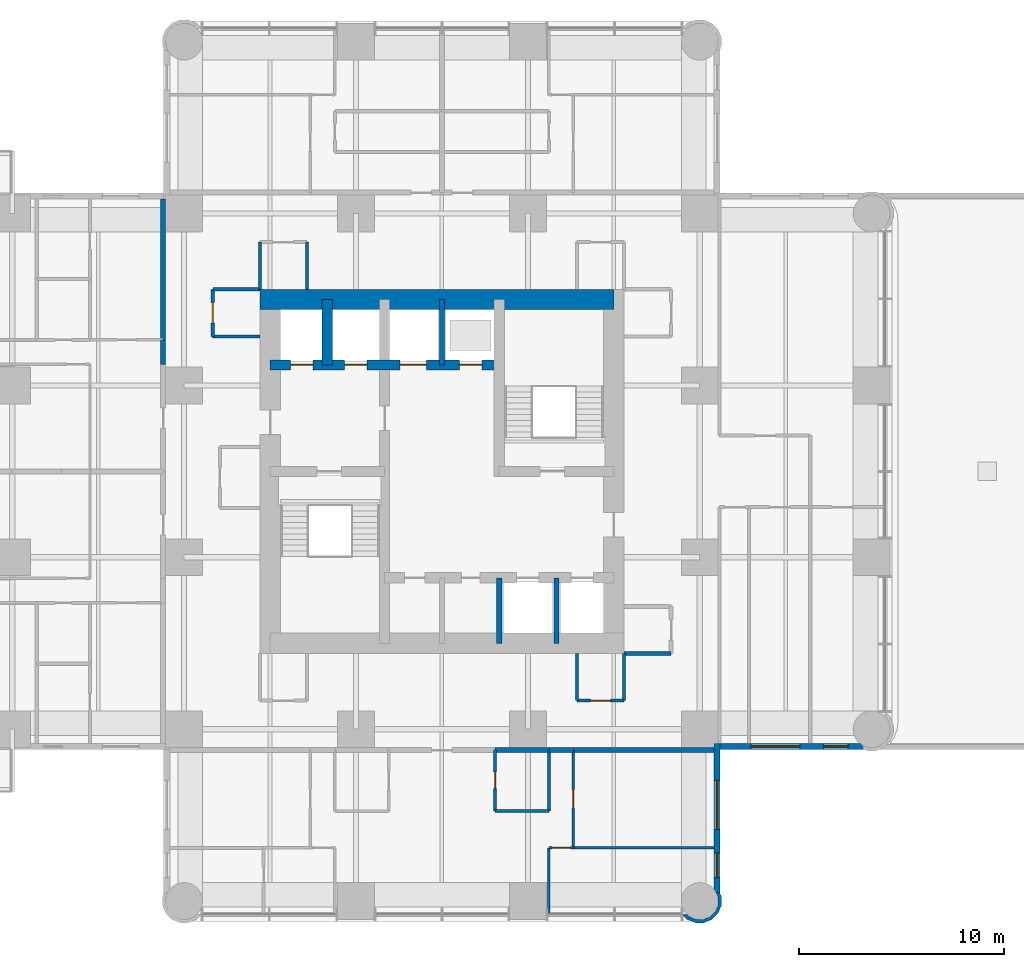
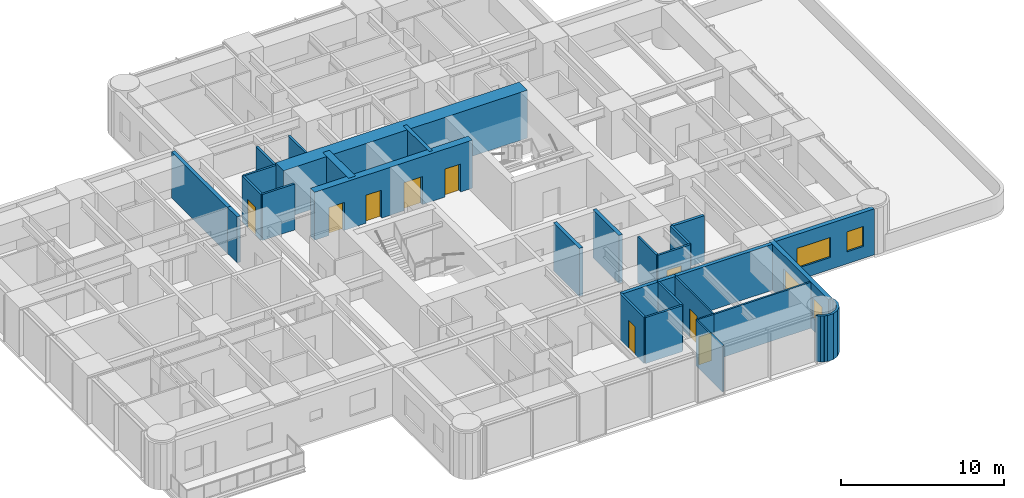
# One storey, part 7 of 12: 30 walls, 9 doors, 4 windows, 13 openings.
"""IFC4 building model written with IfcOpenShell, lengths in metres."""

from ifc_helpers import new_model, si_unit, direction, frame, frame_2d, origin, place, context, subcontext, project, spatial, polyline, rectangle, outline, extrude, material, layer, layer_set, type_object, element, fill, save


model = new_model("IFC4")

# Units and contexts
model_context = context("Model", 3, precision=1e-05, world=origin(), true_north=direction((0.0, 1.0)))
body_context = subcontext(model_context, "Body", "Model", "MODEL_VIEW")
ifc_project = project(units=[si_unit("LENGTHUNIT", "METRE"), si_unit("AREAUNIT", "SQUARE_METRE"), si_unit("VOLUMEUNIT", "CUBIC_METRE"), si_unit("PLANEANGLEUNIT", "RADIAN"), si_unit("MASSUNIT", "GRAM", prefix="KILO")], contexts=[model_context])

# Site, building, storey
site_placement = place(None, origin())
site = spatial("IfcSite", under=ifc_project, at=site_placement, CompositionType="ELEMENT")
building_placement = place(site_placement, origin())
building = spatial("IfcBuilding", under=site, at=building_placement, Name="Torre Alcanfor", CompositionType="ELEMENT")
storey_placement = place(building_placement, frame((0.0, 0.0, 183.300048828125)))
storey = spatial("IfcBuildingStorey", under=building, at=storey_placement, Name="L47", CompositionType="ELEMENT", Elevation=183.300048828125)

# Walls
ifc_material_1 = material(Name="Concrete block masonry, hollow blocks NMX-C-404 9 MPa", Category="masonry")
ifc_layer_1 = layer(ifc_material_1, 0.25)
ifc_layer_set_1 = layer_set([ifc_layer_1], Name="Apartment entrance wall 250 EI 60")
wall_type_1 = type_object("IfcWallType", Name="Apartment entrance wall 250 EI 60", PredefinedType="PARTITIONING", material=ifc_layer_set_1)
wall_1_placement = place(storey_placement, frame((34.62890625, 15.77490234375, 0.0), z_axis=(0.0, 0.0, 1.0), x_axis=(-1.0, 0.0, 0.0)))
element("IfcWall", 1, at=wall_1_placement, inside=storey, type_object=wall_type_1, Name="Partition L47-CORR / L47-SX-BATH2", PredefinedType="PARTITIONING", context=body_context, shape_type="SweptSolid", body=[
    extrude(rectangle(XDim=2.62890625, YDim=0.25, at=frame_2d((1.314453125, 0.0))), origin(), (0.0, 0.0, 1.0), 3.449951171875),
])
wall_2_placement = place(storey_placement, frame((35.8291015625, 15.77490234375, 0.0), z_axis=(0.0, 0.0, 1.0), x_axis=(-1.0, 0.0, 0.0)))
element("IfcWall", 2, at=wall_2_placement, inside=storey, type_object=wall_type_1, Name="Partition L47-CORR / L47-SX-LIVING", PredefinedType="PARTITIONING", context=body_context, shape_type="SweptSolid", body=[
    extrude(rectangle(XDim=1.2001953125, YDim=0.25, at=frame_2d((0.60009765625, 0.0))), origin(), (0.0, 0.0, 1.0), 3.449951171875),
])
wall_3_placement = place(storey_placement, frame((42.699951171875, 15.77490234375, 0.0), z_axis=(0.0, 0.0, 1.0), x_axis=(-1.0, 0.0, 0.0)))
element("IfcWall", 3, at=wall_3_placement, inside=storey, type_object=wall_type_1, Name="Partition L47-CORR / L47-SX-BED2", PredefinedType="PARTITIONING", context=body_context, shape_type="SweptSolid", body=[
    extrude(rectangle(XDim=6.870849609375, YDim=0.25, at=frame_2d((3.435546875, 0.0))), origin(), (0.0, 0.0, 1.0), 3.449951171875),
])
wall_4_placement = place(storey_placement, frame((15.77490234375, 34.62890625, 0.0), z_axis=(0.0, 0.0, 1.0), x_axis=(0.0, 1.0, 0.0)))
element("IfcWall", 4, at=wall_4_placement, inside=storey, type_object=wall_type_1, Name="Partition L47-CORR / L47-W2-HALL", PredefinedType="PARTITIONING", context=body_context, shape_type="SweptSolid", body=[
    extrude(rectangle(XDim=1.2001953125, YDim=0.25, at=frame_2d((0.60009765625, 0.0))), origin(), (0.0, 0.0, 1.0), 3.449951171875),
])
wall_5_placement = place(storey_placement, frame((15.77490234375, 35.8291015625, 0.0), z_axis=(0.0, 0.0, 1.0), x_axis=(0.0, 1.0, 0.0)))
element("IfcWall", 5, at=wall_5_placement, inside=storey, type_object=wall_type_1, Name="Partition L47-CORR / L47-W2-SERV", PredefinedType="PARTITIONING", context=body_context, shape_type="SweptSolid", body=[
    extrude(rectangle(XDim=6.870849609375, YDim=0.25, at=frame_2d((3.435546875, 0.0))), origin(), (0.0, 0.0, 1.0), 3.449951171875),
])

# Wall, opening, door
ifc_material_2 = material(Name="Gypsum board on steel studs", Category="steel")
ifc_layer_2 = layer(ifc_material_2, 0.1201171875)
ifc_layer_set_2 = layer_set([ifc_layer_2], Name="Apartment partition 120")
wall_type_2 = type_object("IfcWallType", Name="Apartment partition 120", PredefinedType="PARTITIONING", material=ifc_layer_set_2)
wall_6_placement = place(storey_placement, frame((35.8291015625, 15.77490234375, 0.0), z_axis=(0.0, 0.0, 1.0), x_axis=(0.0, -1.0, 0.0)))
wall_6 = element("IfcWall", 6, at=wall_6_placement, inside=storey, type_object=wall_type_2, Name="Partition L47-SX-LIVING / L47-SX-BED2", PredefinedType="PARTITIONING", context=body_context, shape_type="SweptSolid", body=[
    extrude(rectangle(XDim=4.77490234375, YDim=0.1201171875, at=frame_2d((2.387451171875, 0.0))), origin(), (0.0, 0.0, 1.0), 3.449951171875),
])
opening_1_placement = place(wall_6_placement, frame((1.925048828125, 0.0, 0.0)))
opening_1 = element("IfcOpeningElement", 7, at=opening_1_placement, cuts=wall_6, Name="Opening D-R1", PredefinedType="OPENING", context=body_context, shape_type="SweptSolid", body=[
    extrude(rectangle(XDim=0.89990234375, YDim=2.10009765625, at=frame_2d((0.449951171875, 1.050048828125))), frame((0.0, 0.070068359375, 0.0), z_axis=(0.0, -1.0, 0.0), x_axis=(1.0, 0.0, 0.0)), (0.0, 0.0, 1.0), 0.14013671875),
])
ifc_material_3 = material(Name="Timber", Category="wood")
door_type_1 = type_object("IfcDoorType", Name="Internal door 900x2100", OperationType="SINGLE_SWING_LEFT", PredefinedType="DOOR", material=ifc_material_3)
door_1_placement = place(opening_1_placement, origin())
door_1 = element("IfcDoor", 8, at=door_1_placement, inside=storey, type_object=door_type_1, Name="Door L47-SX bed2", OperationType="SINGLE_SWING_LEFT", OverallHeight=2.10009765625, OverallWidth=0.89990234375, PredefinedType="DOOR", context=body_context, shape_type="SweptSolid", body=[
    extrude(rectangle(XDim=0.89990234375, YDim=2.10009765625, at=frame_2d((0.449951171875, 1.050048828125))), frame((0.0, 0.02490234375, 0.0), z_axis=(0.0, -1.0, 0.0), x_axis=(1.0, 0.0, 0.0)), (0.0, 0.0, 1.0), 0.050048828125),
])
fill(opening_1, door_1)

wall_7_placement = place(storey_placement, frame((35.8291015625, 11.0, 0.0), z_axis=(0.0, 0.0, 1.0), x_axis=(-1.0, 0.0, 0.0)))
wall_7 = element("IfcWall", 9, at=wall_7_placement, inside=storey, type_object=wall_type_2, Name="Partition L47-SX-LIVING / L47-SX-MASTER", PredefinedType="PARTITIONING", context=body_context, shape_type="SweptSolid", body=[
    extrude(rectangle(XDim=1.2001953125, YDim=0.1201171875, at=frame_2d((0.60009765625, 0.0))), origin(), (0.0, 0.0, 1.0), 3.449951171875),
])
opening_2_placement = place(wall_7_placement, frame((0.14892578125, 0.0, 0.0)))
opening_2 = element("IfcOpeningElement", 10, at=opening_2_placement, cuts=wall_7, Name="Opening D-R1", PredefinedType="OPENING", context=body_context, shape_type="SweptSolid", body=[
    extrude(rectangle(XDim=0.89990234375, YDim=2.10009765625, at=frame_2d((0.449951171875, 1.050048828125))), frame((0.0, 0.070068359375, 0.0), z_axis=(0.0, -1.0, 0.0), x_axis=(1.0, 0.0, 0.0)), (0.0, 0.0, 1.0), 0.14013671875),
])
door_2_placement = place(opening_2_placement, origin())
door_2 = element("IfcDoor", 11, at=door_2_placement, inside=storey, type_object=door_type_1, Name="Door L47-SX master", OperationType="SINGLE_SWING_RIGHT", OverallHeight=2.10009765625, OverallWidth=0.89990234375, PredefinedType="DOOR", context=body_context, shape_type="SweptSolid", body=[
    extrude(rectangle(XDim=0.89990234375, YDim=2.10009765625, at=frame_2d((0.449951171875, 1.050048828125))), frame((0.0, 0.02490234375, 0.0), z_axis=(0.0, -1.0, 0.0), x_axis=(1.0, 0.0, 0.0)), (0.0, 0.0, 1.0), 0.050048828125),
])
fill(opening_2, door_2)

# Walls
wall_8_placement = place(storey_placement, frame((34.62890625, 11.0, 0.0), z_axis=(0.0, 0.0, 1.0), x_axis=(0.0, -1.0, 0.0)))
element("IfcWall", 12, at=wall_8_placement, inside=storey, type_object=wall_type_2, Name="Partition L47-SX-LIVING / L47-SX-MASTER", PredefinedType="PARTITIONING", context=body_context, shape_type="SweptSolid", body=[
    extrude(rectangle(XDim=3.25, YDim=0.1201171875, at=frame_2d((1.625, 0.0))), origin(), (0.0, 0.0, 1.0), 3.449951171875),
])
wall_9_placement = place(storey_placement, frame((35.8291015625, 11.0, 0.0), z_axis=(0.0, 0.0, 1.0), x_axis=(1.0, 0.0, 0.0)))
element("IfcWall", 13, at=wall_9_placement, inside=storey, type_object=wall_type_2, Name="Partition L47-SX-BED2 / L47-SX-MASTER", PredefinedType="PARTITIONING", context=body_context, shape_type="SweptSolid", body=[
    extrude(rectangle(XDim=6.870849609375, YDim=0.1201171875, at=frame_2d((3.435546875, 0.0))), origin(), (0.0, 0.0, 1.0), 3.449951171875),
])

# Wall, openings, doors
ifc_material_4 = material(Name="Concrete f'c 70 MPa", Category="concrete")
ifc_layer_3 = layer(ifc_material_4, 0.5)
ifc_layer_set_3 = layer_set([ifc_layer_3], Name="Core inner wall 500 f'c70")
wall_type_3 = type_object("IfcWallType", Name="Core inner wall 500 f'c70", PredefinedType="SHEAR", material=ifc_layer_set_3)
wall_10_placement = place(storey_placement, frame((21.0, 34.60009765625, 0.0), z_axis=(0.0, 0.0, 1.0), x_axis=(1.0, 0.0, 0.0)))
wall_10 = element("IfcWall", 14, at=wall_10_placement, inside=storey, type_object=wall_type_3, Name="Core wall Y346 L47", PredefinedType="SHEAR", context=body_context, shape_type="SweptSolid", body=[
    extrude(rectangle(XDim=11.199951171875, YDim=0.5, at=frame_2d((5.60009765625, 0.0))), origin(), (0.0, 0.0, 1.0), 3.599853515625),
])
opening_3_placement = place(wall_10_placement, frame((9.25, 0.0, 0.0)))
opening_3 = element("IfcOpeningElement", 15, at=opening_3_placement, cuts=wall_10, Name="Opening LD1", PredefinedType="OPENING", context=body_context, shape_type="SweptSolid", body=[
    extrude(rectangle(XDim=1.10009765625, YDim=2.10009765625, at=frame_2d((0.550048828125, 1.050048828125))), frame((0.0, 0.260009765625, 0.0), z_axis=(0.0, -1.0, 0.0), x_axis=(1.0, 0.0, 0.0)), (0.0, 0.0, 1.0), 0.52001953125),
])
opening_4_placement = place(wall_10_placement, frame((1.0, 0.0, 0.0)))
opening_4 = element("IfcOpeningElement", 16, at=opening_4_placement, cuts=wall_10, Name="Opening LD2", PredefinedType="OPENING", context=body_context, shape_type="SweptSolid", body=[
    extrude(rectangle(XDim=1.10009765625, YDim=2.10009765625, at=frame_2d((0.550048828125, 1.050048828125))), frame((0.0, 0.260009765625, 0.0), z_axis=(0.0, -1.0, 0.0), x_axis=(1.0, 0.0, 0.0)), (0.0, 0.0, 1.0), 0.52001953125),
])
opening_5_placement = place(wall_10_placement, frame((3.64990234375, 0.0, 0.0)))
opening_5 = element("IfcOpeningElement", 17, at=opening_5_placement, cuts=wall_10, Name="Opening LD2", PredefinedType="OPENING", context=body_context, shape_type="SweptSolid", body=[
    extrude(rectangle(XDim=1.10009765625, YDim=2.10009765625, at=frame_2d((0.550048828125, 1.050048828125))), frame((0.0, 0.260009765625, 0.0), z_axis=(0.0, -1.0, 0.0), x_axis=(1.0, 0.0, 0.0)), (0.0, 0.0, 1.0), 0.52001953125),
])
opening_6_placement = place(wall_10_placement, frame((6.35009765625, 0.0, 0.0)))
opening_6 = element("IfcOpeningElement", 18, at=opening_6_placement, cuts=wall_10, Name="Opening LD3", PredefinedType="OPENING", context=body_context, shape_type="SweptSolid", body=[
    extrude(rectangle(XDim=1.300048828125, YDim=2.10009765625, at=frame_2d((0.64990234375, 1.050048828125))), frame((0.0, 0.260009765625, 0.0), z_axis=(0.0, -1.0, 0.0), x_axis=(1.0, 0.0, 0.0)), (0.0, 0.0, 1.0), 0.52001953125),
])
ifc_material_5 = material(Name="Galvanised steel sheet ASTM A653", Category="steel")
door_type_2 = type_object("IfcDoorType", Name="Firefighting lift landing door 1100x2100", OperationType="DOUBLE_DOOR_SLIDING", PredefinedType="DOOR", material=ifc_material_5)
door_3_placement = place(opening_4_placement, origin())
door_3 = element("IfcDoor", 19, at=door_3_placement, inside=storey, type_object=door_type_2, Name="Lift landing door FL1 L47", OperationType="DOUBLE_DOOR_SLIDING", OverallHeight=2.10009765625, OverallWidth=1.10009765625, PredefinedType="DOOR", context=body_context, shape_type="SweptSolid", body=[
    extrude(rectangle(XDim=1.10009765625, YDim=2.10009765625, at=frame_2d((0.550048828125, 1.050048828125))), frame((0.0, 0.02490234375, 0.0), z_axis=(0.0, -1.0, 0.0), x_axis=(1.0, 0.0, 0.0)), (0.0, 0.0, 1.0), 0.050048828125),
])
fill(opening_4, door_3)
door_4_placement = place(opening_5_placement, origin())
door_4 = element("IfcDoor", 20, at=door_4_placement, inside=storey, type_object=door_type_2, Name="Lift landing door FL2 L47", OperationType="DOUBLE_DOOR_SLIDING", OverallHeight=2.10009765625, OverallWidth=1.10009765625, PredefinedType="DOOR", context=body_context, shape_type="SweptSolid", body=[
    extrude(rectangle(XDim=1.10009765625, YDim=2.10009765625, at=frame_2d((0.550048828125, 1.050048828125))), frame((0.0, 0.02490234375, 0.0), z_axis=(0.0, -1.0, 0.0), x_axis=(1.0, 0.0, 0.0)), (0.0, 0.0, 1.0), 0.050048828125),
])
fill(opening_5, door_4)
ifc_material_6 = material(Name="Galvanised steel sheet ASTM A653", Category="steel")
door_type_3 = type_object("IfcDoorType", Name="Lift landing door 1100x2100", OperationType="DOUBLE_DOOR_SLIDING", PredefinedType="DOOR", material=ifc_material_6)
door_5_placement = place(opening_3_placement, origin())
door_5 = element("IfcDoor", 21, at=door_5_placement, inside=storey, type_object=door_type_3, Name="Lift landing door PA5 L47", OperationType="DOUBLE_DOOR_SLIDING", OverallHeight=2.10009765625, OverallWidth=1.10009765625, PredefinedType="DOOR", context=body_context, shape_type="SweptSolid", body=[
    extrude(rectangle(XDim=1.10009765625, YDim=2.10009765625, at=frame_2d((0.550048828125, 1.050048828125))), frame((0.0, 0.02490234375, 0.0), z_axis=(0.0, -1.0, 0.0), x_axis=(1.0, 0.0, 0.0)), (0.0, 0.0, 1.0), 0.050048828125),
])
fill(opening_3, door_5)
ifc_material_7 = material(Name="Galvanised steel sheet ASTM A653", Category="steel")
door_type_4 = type_object("IfcDoorType", Name="Service lift landing door 1300x2100", OperationType="DOUBLE_DOOR_SLIDING", PredefinedType="DOOR", material=ifc_material_7)
door_6_placement = place(opening_6_placement, origin())
door_6 = element("IfcDoor", 22, at=door_6_placement, inside=storey, type_object=door_type_4, Name="Lift landing door SL1 L47", OperationType="DOUBLE_DOOR_SLIDING", OverallHeight=2.10009765625, OverallWidth=1.300048828125, PredefinedType="DOOR", context=body_context, shape_type="SweptSolid", body=[
    extrude(rectangle(XDim=1.300048828125, YDim=2.10009765625, at=frame_2d((0.64990234375, 1.050048828125))), frame((0.0, 0.02490234375, 0.0), z_axis=(0.0, -1.0, 0.0), x_axis=(1.0, 0.0, 0.0)), (0.0, 0.0, 1.0), 0.050048828125),
])
fill(opening_6, door_6)

# Walls
wall_11_placement = place(storey_placement, frame((23.800048828125, 34.60009765625, 0.0), z_axis=(0.0, 0.0, 1.0), x_axis=(0.0, 1.0, 0.0)))
element("IfcWall", 23, at=wall_11_placement, inside=storey, type_object=wall_type_3, Name="Core wall X238 L47", PredefinedType="SHEAR", context=body_context, shape_type="SweptSolid", body=[
    extrude(rectangle(XDim=3.199951171875, YDim=0.5, at=frame_2d((1.60009765625, 0.0))), origin(), (0.0, 0.0, 1.0), 3.599853515625),
])
ifc_material_8 = material(Name="Concrete f'c 70 MPa", Category="concrete")
ifc_layer_4 = layer(ifc_material_8, 0.25)
ifc_layer_set_4 = layer_set([ifc_layer_4], Name="Core shaft wall 250 f'c70")
wall_type_4 = type_object("IfcWallType", Name="Core shaft wall 250 f'c70", PredefinedType="SHEAR", material=ifc_layer_set_4)
for number, where, z_axis, x_axis, name in (
    (24, (32.199951171875, 21.0, 0.0), (0.0, 0.0, 1.0), (0.0, 1.0, 0.0), "Core wall X322S L47"),
    (25, (35.0, 21.0, 0.0), (0.0, 0.0, 1.0), (0.0, 1.0, 0.0), "Core wall X350S L47"),
    (26, (29.39990234375, 34.60009765625, 0.0), (0.0, 0.0, 1.0), (0.0, 1.0, 0.0), "Core wall X294N L47"),
):
    element("IfcWall", number, at=place(storey_placement, frame(where, z_axis=z_axis, x_axis=x_axis)), inside=storey, type_object=wall_type_4, Name=name, PredefinedType="SHEAR", context=body_context, shape_type="SweptSolid", body=[
        extrude(rectangle(XDim=3.199951171875, YDim=0.25, at=frame_2d((1.60009765625, 0.0))), origin(), (0.0, 0.0, 1.0), 3.599853515625),
    ])
ifc_material_9 = material(Name="Concrete f'c 70 MPa", Category="concrete")
ifc_layer_5 = layer(ifc_material_9, 1.0)
ifc_layer_set_5 = layer_set([ifc_layer_5], Name="Core wall 1000 f'c70")
wall_type_5 = type_object("IfcWallType", Name="Core wall 1000 f'c70", PredefinedType="SHEAR", material=ifc_layer_set_5)
wall_12_placement = place(storey_placement, frame((37.800048828125, 37.800048828125, 0.0), z_axis=(0.0, 0.0, 1.0), x_axis=(-1.0, 0.0, 0.0)))
element("IfcWall", 27, at=wall_12_placement, inside=storey, type_object=wall_type_5, Name="Core wall OUT-N L47", PredefinedType="SHEAR", context=body_context, shape_type="SweptSolid", body=[
    extrude(rectangle(XDim=17.300048828125, YDim=1.0, at=frame_2d((8.64990234375, 0.0))), origin(), (0.0, 0.0, 1.0), 3.599853515625),
])

# Wall, openings, windows
ifc_material_10 = material(Name="Limestone cladding", Category="masonry")
ifc_layer_6 = layer(ifc_material_10, 0.0400390625, Name="Facing")
ifc_material_11 = material(Name="Ventilated air cavity")
ifc_layer_7 = layer(ifc_material_11, 0.02001953125, ventilated=True, Name="Ventilated joint")
ifc_material_12 = material(Name="Mineral wool insulation", Category="insulation")
ifc_layer_8 = layer(ifc_material_12, 0.10009765625, Name="Insulation")
ifc_material_13 = material(Name="Concrete f'c 35 MPa", Category="concrete")
ifc_layer_9 = layer(ifc_material_13, 0.139892578125, Name="Backing")
ifc_layer_set_6 = layer_set([ifc_layer_6, ifc_layer_7, ifc_layer_8, ifc_layer_9], Name="External wall stone-clad 300")
wall_type_6 = type_object("IfcWallType", Name="External wall stone-clad 300", PredefinedType="SOLIDWALL", material=ifc_layer_set_6)
wall_13_placement = place(storey_placement, frame((42.85009765625, 8.800048828125, 0.0), z_axis=(0.0, 0.0, 1.0), x_axis=(0.0, 1.0, 0.0)))
wall_13 = element("IfcWall", 28, at=wall_13_placement, inside=storey, type_object=wall_type_6, Name="External wall L47 6", PredefinedType="SOLIDWALL", context=body_context, shape_type="SweptSolid", body=[
    extrude(rectangle(XDim=7.300048828125, YDim=0.300048828125, at=frame_2d((3.64990234375, 0.0))), origin(), (0.0, 0.0, 1.0), 3.449951171875),
])
opening_7_placement = place(wall_13_placement, frame((3.10009765625, 0.0, 0.89990234375)))
opening_7 = element("IfcOpeningElement", 29, at=opening_7_placement, cuts=wall_13, Name="Opening W1", PredefinedType="OPENING", context=body_context, shape_type="SweptSolid", body=[
    extrude(rectangle(XDim=2.39990234375, YDim=1.5, at=frame_2d((1.199951171875, 0.75))), frame((0.0, 0.159912109375, 0.0), z_axis=(0.0, -1.0, 0.0), x_axis=(1.0, 0.0, 0.0)), (0.0, 0.0, 1.0), 0.320068359375),
])
opening_8_placement = place(wall_13_placement, frame((0.75, 0.0, 0.89990234375)))
opening_8 = element("IfcOpeningElement", 30, at=opening_8_placement, cuts=wall_13, Name="Opening W4", PredefinedType="OPENING", context=body_context, shape_type="SweptSolid", body=[
    extrude(rectangle(XDim=1.199951171875, YDim=1.5, at=frame_2d((0.60009765625, 0.75))), frame((0.0, 0.159912109375, 0.0), z_axis=(0.0, -1.0, 0.0), x_axis=(1.0, 0.0, 0.0)), (0.0, 0.0, 1.0), 0.320068359375),
])
ifc_material_14 = material(Name="Aluminium frame with clear double glazing", Category="aluminium")
window_type_1 = type_object("IfcWindowType", Name="Window bedroom 1200x1500", PartitioningType="SINGLE_PANEL", PredefinedType="WINDOW", material=ifc_material_14)
window_1_placement = place(opening_8_placement, origin())
window_1 = element("IfcWindow", 31, at=window_1_placement, inside=storey, type_object=window_type_1, Name="Window W4 L47-S1", OverallHeight=1.5, OverallWidth=1.199951171875, PartitioningType="SINGLE_PANEL", PredefinedType="WINDOW", context=body_context, shape_type="SweptSolid", body=[
    extrude(rectangle(XDim=1.199951171875, YDim=1.5, at=frame_2d((0.60009765625, 0.75))), frame((0.0, 0.030029296875, 0.0), z_axis=(0.0, -1.0, 0.0), x_axis=(1.0, 0.0, 0.0)), (0.0, 0.0, 1.0), 0.06005859375),
])
fill(opening_8, window_1)
ifc_material_15 = material(Name="Aluminium frame with clear double glazing", Category="aluminium")
window_type_2 = type_object("IfcWindowType", Name="Window bedroom 2400x1500", PartitioningType="SINGLE_PANEL", PredefinedType="WINDOW", material=ifc_material_15)
window_2_placement = place(opening_7_placement, origin())
window_2 = element("IfcWindow", 32, at=window_2_placement, inside=storey, type_object=window_type_2, Name="Window W1 L47-S1", OverallHeight=1.5, OverallWidth=2.39990234375, PartitioningType="SINGLE_PANEL", PredefinedType="WINDOW", context=body_context, shape_type="SweptSolid", body=[
    extrude(rectangle(XDim=2.39990234375, YDim=1.5, at=frame_2d((1.199951171875, 0.75))), frame((0.0, 0.030029296875, 0.0), z_axis=(0.0, -1.0, 0.0), x_axis=(1.0, 0.0, 0.0)), (0.0, 0.0, 1.0), 0.06005859375),
])
fill(opening_7, window_2)

wall_14_placement = place(storey_placement, frame((43.0, 15.949951171875, 0.0), z_axis=(0.0, 0.0, 1.0), x_axis=(1.0, 0.0, 0.0)))
wall_14 = element("IfcWall", 33, at=wall_14_placement, inside=storey, type_object=wall_type_6, Name="External wall L47 7", PredefinedType="SOLIDWALL", context=body_context, shape_type="SweptSolid", body=[
    extrude(rectangle(XDim=7.0, YDim=0.300048828125, at=frame_2d((3.5, 0.0))), origin(), (0.0, 0.0, 1.0), 3.449951171875),
])
opening_9_placement = place(wall_14_placement, frame((1.5, 0.0, 0.89990234375)))
opening_9 = element("IfcOpeningElement", 34, at=opening_9_placement, cuts=wall_14, Name="Opening W1", PredefinedType="OPENING", context=body_context, shape_type="SweptSolid", body=[
    extrude(rectangle(XDim=2.39990234375, YDim=1.5, at=frame_2d((1.199951171875, 0.75))), frame((0.0, 0.159912109375, 0.0), z_axis=(0.0, -1.0, 0.0), x_axis=(1.0, 0.0, 0.0)), (0.0, 0.0, 1.0), 0.320068359375),
])
opening_10_placement = place(wall_14_placement, frame((5.050048828125, 0.0, 0.89990234375)))
opening_10 = element("IfcOpeningElement", 35, at=opening_10_placement, cuts=wall_14, Name="Opening W4", PredefinedType="OPENING", context=body_context, shape_type="SweptSolid", body=[
    extrude(rectangle(XDim=1.199951171875, YDim=1.5, at=frame_2d((0.60009765625, 0.75))), frame((0.0, 0.159912109375, 0.0), z_axis=(0.0, -1.0, 0.0), x_axis=(1.0, 0.0, 0.0)), (0.0, 0.0, 1.0), 0.320068359375),
])
window_3_placement = place(opening_10_placement, origin())
window_3 = element("IfcWindow", 36, at=window_3_placement, inside=storey, type_object=window_type_1, Name="Window W4 L47-E2", OverallHeight=1.5, OverallWidth=1.199951171875, PartitioningType="SINGLE_PANEL", PredefinedType="WINDOW", context=body_context, shape_type="SweptSolid", body=[
    extrude(rectangle(XDim=1.199951171875, YDim=1.5, at=frame_2d((0.60009765625, 0.75))), frame((0.0, 0.030029296875, 0.0), z_axis=(0.0, -1.0, 0.0), x_axis=(1.0, 0.0, 0.0)), (0.0, 0.0, 1.0), 0.06005859375),
])
fill(opening_10, window_3)
window_4_placement = place(opening_9_placement, origin())
window_4 = element("IfcWindow", 37, at=window_4_placement, inside=storey, type_object=window_type_2, Name="Window W1 L47-E2", OverallHeight=1.5, OverallWidth=2.39990234375, PartitioningType="SINGLE_PANEL", PredefinedType="WINDOW", context=body_context, shape_type="SweptSolid", body=[
    extrude(rectangle(XDim=2.39990234375, YDim=1.5, at=frame_2d((1.199951171875, 0.75))), frame((0.0, 0.030029296875, 0.0), z_axis=(0.0, -1.0, 0.0), x_axis=(1.0, 0.0, 0.0)), (0.0, 0.0, 1.0), 0.06005859375),
])
fill(opening_9, window_4)

# Walls
ifc_material_16 = material(Name="Concrete block masonry, hollow blocks NMX-C-404 9 MPa", Category="masonry")
ifc_layer_10 = layer(ifc_material_16, 0.199951171875)
ifc_layer_set_7 = layer_set([ifc_layer_10], Name="Plant room wall 200 EI 60")
wall_type_7 = type_object("IfcWallType", Name="Plant room wall 200 EI 60", PredefinedType="PARTITIONING", material=ifc_layer_set_7)
wall_15_placement = place(storey_placement, frame((38.300048828125, 20.5, 0.0), z_axis=(0.0, 0.0, 1.0), x_axis=(1.0, 0.0, 0.0)))
element("IfcWall", 38, at=wall_15_placement, inside=storey, type_object=wall_type_7, Name="Partition L47-CORR / L47-G03", PredefinedType="PARTITIONING", context=body_context, shape_type="SweptSolid", body=[
    extrude(rectangle(XDim=2.300048828125, YDim=0.199951171875, at=frame_2d((1.14990234375, 0.0))), origin(), (0.0, 0.0, 1.0), 3.449951171875),
])
ifc_material_17 = material(Name="Concrete block masonry, hollow blocks NMX-C-404 9 MPa", Category="masonry")
ifc_layer_11 = layer(ifc_material_17, 0.14990234375)
ifc_layer_set_8 = layer_set([ifc_layer_11], Name="Residents' room partition 150")
wall_type_8 = type_object("IfcWallType", Name="Residents' room partition 150", PredefinedType="PARTITIONING", material=ifc_layer_set_8)
for number, where, z_axis, x_axis, name in (
    (39, (22.800048828125, 38.300048828125, 0.0), (0.0, 0.0, 1.0), (0.0, 1.0, 0.0), "Partition L47-CORR / L47-G01"),
    (40, (20.5, 40.60009765625, 0.0), (0.0, 0.0, 1.0), (0.0, -1.0, 0.0), "Partition L47-CORR / L47-G01"),
    (41, (36.0, 20.5, 0.0), (0.0, 0.0, 1.0), (0.0, -1.0, 0.0), "Partition L47-CORR / L47-G06"),
):
    element("IfcWall", number, at=place(storey_placement, frame(where, z_axis=z_axis, x_axis=x_axis)), inside=storey, type_object=wall_type_8, Name=name, PredefinedType="PARTITIONING", context=body_context, shape_type="SweptSolid", body=[
        extrude(rectangle(XDim=2.300048828125, YDim=0.14990234375, at=frame_2d((1.14990234375, 0.0))), origin(), (0.0, 0.0, 1.0), 3.449951171875),
    ])

# Wall, opening, door
wall_16_placement = place(storey_placement, frame((36.0, 18.199951171875, 0.0), z_axis=(0.0, 0.0, 1.0), x_axis=(1.0, 0.0, 0.0)))
wall_16 = element("IfcWall", 42, at=wall_16_placement, inside=storey, type_object=wall_type_8, Name="Partition L47-CORR / L47-G06", PredefinedType="PARTITIONING", context=body_context, shape_type="SweptSolid", body=[
    extrude(rectangle(XDim=2.300048828125, YDim=0.14990234375, at=frame_2d((1.14990234375, 0.0))), origin(), (0.0, 0.0, 1.0), 3.449951171875),
])
opening_11_placement = place(wall_16_placement, frame((0.64990234375, 0.0, 0.0)))
opening_11 = element("IfcOpeningElement", 43, at=opening_11_placement, cuts=wall_16, Name="Opening D-M1", PredefinedType="OPENING", context=body_context, shape_type="SweptSolid", body=[
    extrude(rectangle(XDim=1.0, YDim=2.10009765625, at=frame_2d((0.5, 1.050048828125))), frame((0.0, 0.0849609375, 0.0), z_axis=(0.0, -1.0, 0.0), x_axis=(1.0, 0.0, 0.0)), (0.0, 0.0, 1.0), 0.169921875),
])
ifc_material_18 = material(Name="Timber", Category="wood")
door_type_5 = type_object("IfcDoorType", Name="Residents' room door 1000x2100", OperationType="SINGLE_SWING_LEFT", PredefinedType="DOOR", material=ifc_material_18)
door_7_placement = place(opening_11_placement, origin())
door_7 = element("IfcDoor", 44, at=door_7_placement, inside=storey, type_object=door_type_5, Name="Door L47-G06 residents' storage", OperationType="SINGLE_SWING_LEFT", OverallHeight=2.10009765625, OverallWidth=1.0, PredefinedType="DOOR", context=body_context, shape_type="SweptSolid", body=[
    extrude(rectangle(XDim=1.0, YDim=2.10009765625, at=frame_2d((0.5, 1.050048828125))), frame((0.0, 0.02490234375, 0.0), z_axis=(0.0, -1.0, 0.0), x_axis=(1.0, 0.0, 0.0)), (0.0, 0.0, 1.0), 0.050048828125),
])
fill(opening_11, door_7)

# Walls
for number, where, z_axis, x_axis, name in (
    (45, (38.300048828125, 18.199951171875, 0.0), (0.0, 0.0, 1.0), (0.0, 1.0, 0.0), "Partition L47-CORR / L47-G06"),
    (46, (20.5, 38.300048828125, 0.0), (0.0, 0.0, 1.0), (-1.0, 0.0, 0.0), "Partition L47-CORR / L47-G08"),
):
    element("IfcWall", number, at=place(storey_placement, frame(where, z_axis=z_axis, x_axis=x_axis)), inside=storey, type_object=wall_type_8, Name=name, PredefinedType="PARTITIONING", context=body_context, shape_type="SweptSolid", body=[
        extrude(rectangle(XDim=2.300048828125, YDim=0.14990234375, at=frame_2d((1.14990234375, 0.0))), origin(), (0.0, 0.0, 1.0), 3.449951171875),
    ])

# Wall, opening, door
wall_17_placement = place(storey_placement, frame((18.199951171875, 38.300048828125, 0.0), z_axis=(0.0, 0.0, 1.0), x_axis=(0.0, -1.0, 0.0)))
wall_17 = element("IfcWall", 47, at=wall_17_placement, inside=storey, type_object=wall_type_8, Name="Partition L47-CORR / L47-G08", PredefinedType="PARTITIONING", context=body_context, shape_type="SweptSolid", body=[
    extrude(rectangle(XDim=2.300048828125, YDim=0.14990234375, at=frame_2d((1.14990234375, 0.0))), origin(), (0.0, 0.0, 1.0), 3.449951171875),
])
opening_12_placement = place(wall_17_placement, frame((0.64990234375, 0.0, 0.0)))
opening_12 = element("IfcOpeningElement", 48, at=opening_12_placement, cuts=wall_17, Name="Opening D-M1", PredefinedType="OPENING", context=body_context, shape_type="SweptSolid", body=[
    extrude(rectangle(XDim=1.0, YDim=2.10009765625, at=frame_2d((0.5, 1.050048828125))), frame((0.0, 0.0849609375, 0.0), z_axis=(0.0, -1.0, 0.0), x_axis=(1.0, 0.0, 0.0)), (0.0, 0.0, 1.0), 0.169921875),
])
door_8_placement = place(opening_12_placement, origin())
door_8 = element("IfcDoor", 49, at=door_8_placement, inside=storey, type_object=door_type_5, Name="Door L47-G08 parcel room", OperationType="SINGLE_SWING_LEFT", OverallHeight=2.10009765625, OverallWidth=1.0, PredefinedType="DOOR", context=body_context, shape_type="SweptSolid", body=[
    extrude(rectangle(XDim=1.0, YDim=2.10009765625, at=frame_2d((0.5, 1.050048828125))), frame((0.0, 0.02490234375, 0.0), z_axis=(0.0, -1.0, 0.0), x_axis=(1.0, 0.0, 0.0)), (0.0, 0.0, 1.0), 0.050048828125),
])
fill(opening_12, door_8)

# Walls
wall_18_placement = place(storey_placement, frame((18.199951171875, 36.0, 0.0), z_axis=(0.0, 0.0, 1.0), x_axis=(1.0, 0.0, 0.0)))
element("IfcWall", 50, at=wall_18_placement, inside=storey, type_object=wall_type_8, Name="Partition L47-CORR / L47-G08", PredefinedType="PARTITIONING", context=body_context, shape_type="SweptSolid", body=[
    extrude(rectangle(XDim=2.300048828125, YDim=0.14990234375, at=frame_2d((1.14990234375, 0.0))), origin(), (0.0, 0.0, 1.0), 3.449951171875),
])
ifc_layer_12 = layer(ifc_material_10, 0.0400390625, Name="Facing")
ifc_layer_13 = layer(ifc_material_11, 0.02001953125, ventilated=True, Name="Ventilated joint")
ifc_layer_14 = layer(ifc_material_12, 0.10009765625, Name="Insulation")
ifc_layer_15 = layer(ifc_material_13, 0.139892578125, Name="Backing")
ifc_layer_set_9 = layer_set([ifc_layer_12, ifc_layer_13, ifc_layer_14, ifc_layer_15], Name="Rounded corner pier stone-clad 300")
wall_type_9 = type_object("IfcWallType", Name="Rounded corner pier stone-clad 300", PredefinedType="SOLIDWALL", material=ifc_layer_set_9)
wall_19_placement = place(storey_placement, frame((41.23340608, 7.789480744, 0.0), z_axis=(0.0, 0.0, 1.0), x_axis=(0.377204953059, -0.926129809145, 0.0)))
element("IfcWall", 51, at=wall_19_placement, inside=storey, type_object=wall_type_9, Name="Corner pier L47 16", PredefinedType="SOLIDWALL", context=body_context, shape_type="SweptSolid", body=[
    extrude(outline(polyline([(0.3188221367360325, 1.8424968160812525), (-0.07166277058672699, 2.0015380646001097), (-0.24000427352452447, 2.0005081050015594), (-0.269549250210802, 2.0172865767024346), (-0.3699438072570761, 1.8406950343160768), (-0.10231236878147876, 1.842145174106832), (0.22961110773838866, 1.7069555083131536), (0.4845476415603822, 1.4552346247001606), (0.6236550635861208, 1.1249461766610187), (0.6257590263396249, 0.7663652844174852), (0.49056936054594646, 0.43444180789761777), (0.23853027996952475, 0.17937125921818126), (0.09025049501168259, 0.1169203356497861), (0.010960098384736335, -0.07775685323550395), (0.024526453010888946, -0.08328231641508209), (0.32945123502871626, 0.0453300229256597), (0.48001657385947577, 0.19753321657308245), (0.4991180482772686, 0.19265309734843963), (0.5076646161494596, 0.22528724603202818), (0.6258845624036093, 0.3453228699529668), (0.7848337198694737, 0.7355816713652905), (0.7823550336481375, 1.1573188904493026), (0.6188149837633398, 1.5460634887063593), (0.3188221367360325, 1.8424968160812525)])), origin(), (0.0, 0.0, 1.0), 3.449951171875),
])

# Wall, opening, door
ifc_material_19 = material(Name="Cement board on steel studs", Category="steel")
ifc_layer_16 = layer(ifc_material_19, 0.14990234375)
ifc_layer_set_10 = layer_set([ifc_layer_16], Name="Wet area partition 150")
wall_type_10 = type_object("IfcWallType", Name="Wet area partition 150", PredefinedType="PARTITIONING", material=ifc_layer_set_10)
wall_20_placement = place(storey_placement, frame((32.0, 12.800048828125, 0.0), z_axis=(0.0, 0.0, 1.0), x_axis=(0.0, 1.0, 0.0)))
wall_20 = element("IfcWall", 52, at=wall_20_placement, inside=storey, type_object=wall_type_10, Name="Partition L47-SX-ZAG / L47-SX-BATH2", PredefinedType="PARTITIONING", context=body_context, shape_type="SweptSolid", body=[
    extrude(rectangle(XDim=2.974853515625, YDim=0.14990234375, at=frame_2d((1.4873046875, 0.0))), origin(), (0.0, 0.0, 1.0), 3.449951171875),
])
opening_13_placement = place(wall_20_placement, frame((1.10009765625, 0.0, 0.0)))
opening_13 = element("IfcOpeningElement", 53, at=opening_13_placement, cuts=wall_20, Name="Opening D-R2", PredefinedType="OPENING", context=body_context, shape_type="SweptSolid", body=[
    extrude(rectangle(XDim=0.800048828125, YDim=2.10009765625, at=frame_2d((0.39990234375, 1.050048828125))), frame((0.0, 0.0849609375, 0.0), z_axis=(0.0, -1.0, 0.0), x_axis=(1.0, 0.0, 0.0)), (0.0, 0.0, 1.0), 0.169921875),
])
ifc_material_20 = material(Name="Timber", Category="wood")
door_type_6 = type_object("IfcDoorType", Name="Bathroom door 800x2100", OperationType="SINGLE_SWING_LEFT", PredefinedType="DOOR", material=ifc_material_20)
door_9_placement = place(opening_13_placement, frame((0.800048828125, 0.0, 0.0), z_axis=(0.0, 0.0, 1.0), x_axis=(-1.0, 0.0, 0.0)))
door_9 = element("IfcDoor", 54, at=door_9_placement, inside=storey, type_object=door_type_6, Name="Door L47-SX bath2", OperationType="SINGLE_SWING_LEFT", OverallHeight=2.10009765625, OverallWidth=0.800048828125, PredefinedType="DOOR", context=body_context, shape_type="SweptSolid", body=[
    extrude(rectangle(XDim=0.800048828125, YDim=2.10009765625, at=frame_2d((0.400146484375, 1.050048828125))), frame((0.0, 0.025146484375, 0.0), z_axis=(0.0, -1.0, 0.0), x_axis=(1.0, 0.0, 0.0)), (0.0, 0.0, 1.0), 0.050048828125),
])
fill(opening_13, door_9)

# Walls
wall_21_placement = place(storey_placement, frame((32.0, 12.800048828125, 0.0), z_axis=(0.0, 0.0, 1.0), x_axis=(1.0, 0.0, 0.0)))
element("IfcWall", 55, at=wall_21_placement, inside=storey, type_object=wall_type_10, Name="Partition L47-SX-BATH2 / L47-SX-LIVING", PredefinedType="PARTITIONING", context=body_context, shape_type="SweptSolid", body=[
    extrude(rectangle(XDim=2.62890625, YDim=0.14990234375, at=frame_2d((1.314453125, 0.0))), origin(), (0.0, 0.0, 1.0), 3.449951171875),
])
wall_22_placement = place(storey_placement, frame((34.62890625, 12.800048828125, 0.0), z_axis=(0.0, 0.0, 1.0), x_axis=(0.0, 1.0, 0.0)))
element("IfcWall", 56, at=wall_22_placement, inside=storey, type_object=wall_type_10, Name="Partition L47-SX-BATH2 / L47-SX-LIVING", PredefinedType="PARTITIONING", context=body_context, shape_type="SweptSolid", body=[
    extrude(rectangle(XDim=2.974853515625, YDim=0.14990234375, at=frame_2d((1.4873046875, 0.0))), origin(), (0.0, 0.0, 1.0), 3.449951171875),
])

save(model, "model.ifc")
